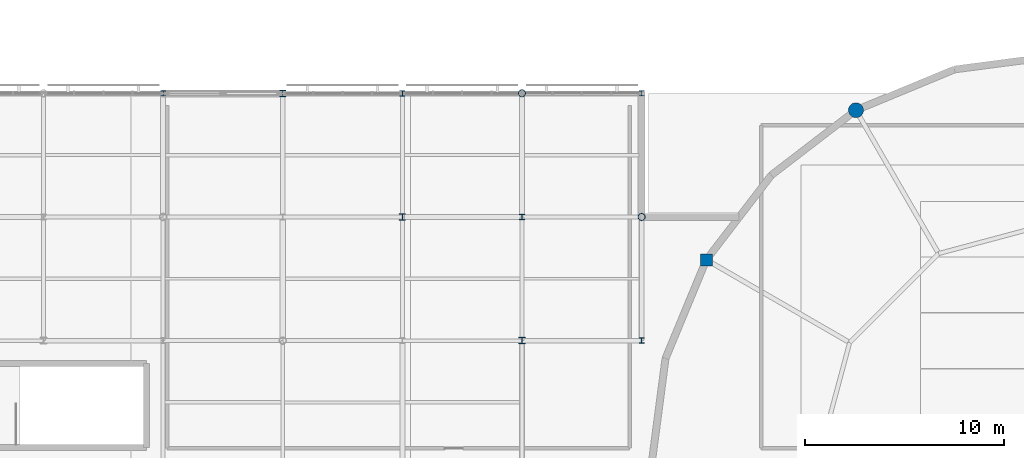
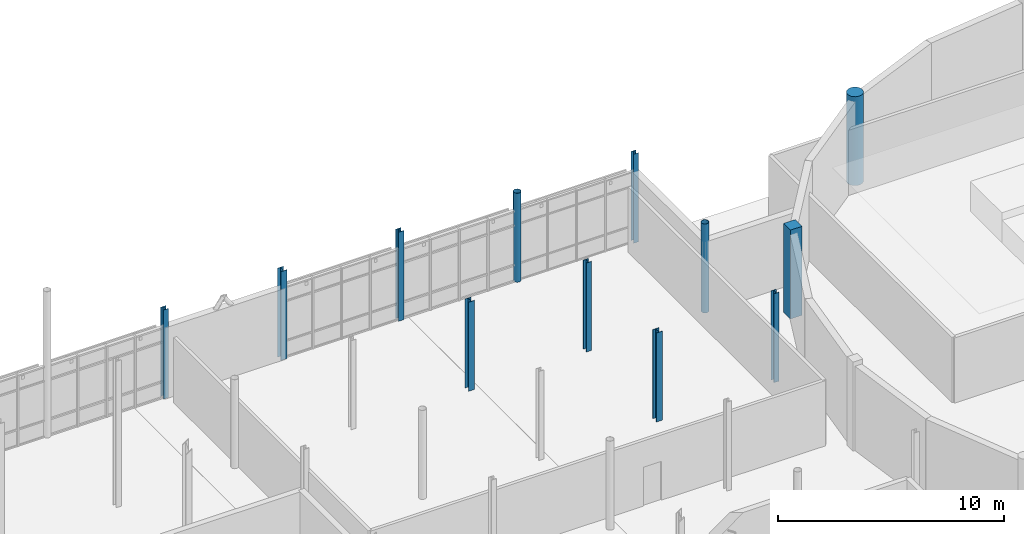
# One storey, part 7 of 84: 12 columns.
"""IFC4 building model written with IfcOpenShell, lengths in metres."""

from ifc_helpers import new_model, si_unit, direction, frame, origin, origin_2d, place, context, subcontext, project, spatial, rectangle, circle, hollow_circle, i_section, extrude, material, material_profile, profile_set, type_object, element, save


model = new_model("IFC4")

# Units and contexts
model_context = context("Model", 3, precision=1e-05, world=origin(), true_north=direction((0.0, 1.0)))
body_context = subcontext(model_context, "Body", "Model", "MODEL_VIEW")
ifc_project = project(units=[si_unit("LENGTHUNIT", "METRE"), si_unit("AREAUNIT", "SQUARE_METRE"), si_unit("VOLUMEUNIT", "CUBIC_METRE"), si_unit("PLANEANGLEUNIT", "RADIAN"), si_unit("MASSUNIT", "GRAM", prefix="KILO")], contexts=[model_context])

# Site, building, storey
site_placement = place(None, origin())
site = spatial("IfcSite", under=ifc_project, at=site_placement, CompositionType="ELEMENT")
building_placement = place(site_placement, origin())
building = spatial("IfcBuilding", under=site, at=building_placement, Name="Mirzam Square Science Centre", CompositionType="ELEMENT")
storey_placement = place(building_placement, frame((0.0, 0.0, 10.800048828125)))
storey = spatial("IfcBuildingStorey", under=building, at=storey_placement, Name="L02", CompositionType="ELEMENT", Elevation=10.800048828125)

# Columns
ifc_material_1 = material(Name="Steel S355", Category="steel")
ifc_material_profile_1 = material_profile(ifc_material_1, hollow_circle(Radius=0.177734375, WallThickness=0.012451171875, at=origin_2d()), Name="355.6x12.5CHS")
ifc_profile_set_1 = profile_set([ifc_material_profile_1], Name="Steel S355")
column_type_1 = type_object("IfcColumnType", Name="COL-CHS355", PredefinedType="COLUMN", material=ifc_profile_set_1)
for number, where, z_axis, x_axis, name in (
    (1, (54.0, 80.60009765625, 0.0), (0.0, 0.0, 1.0), (1.0, 0.0, 0.0), "L02 column G10-14"),
    (2, (60.0, 74.39990234375, 0.0), (0.0, 0.0, 1.0), (1.0, 0.0, 0.0), "L02 column G11-13"),
):
    element("IfcColumn", number, at=place(storey_placement, frame(where, z_axis=z_axis, x_axis=x_axis)), inside=storey, type_object=column_type_1, Name=name, PredefinedType="COLUMN", context=body_context, shape_type="SweptSolid", body=[
        extrude(hollow_circle(Radius=0.177734375, WallThickness=0.012451171875, at=origin_2d()), origin(), (0.0, 0.0, 1.0), 4.800048828125),
    ])
ifc_material_profile_2 = material_profile(ifc_material_1, i_section(OverallWidth=0.25634765625, OverallDepth=0.26025390625, WebThickness=0.01025390625, FlangeThickness=0.017333984375, FilletRadius=0.0126953125, at=origin_2d()), Name="254x254x89UC")
ifc_profile_set_2 = profile_set([ifc_material_profile_2], Name="Steel S355")
column_type_2 = type_object("IfcColumnType", Name="COL-UC254A", PredefinedType="COLUMN", material=ifc_profile_set_2)
for number, where, z_axis, x_axis, name in (
    (3, (36.0, 80.60009765625, 0.0), (0.0, 0.0, 1.0), (1.0, 0.0, 0.0), "L02 column G07-14"),
    (4, (60.0, 80.60009765625, 0.0), (0.0, 0.0, 1.0), (1.0, 0.0, 0.0), "L02 column G11-14"),
):
    element("IfcColumn", number, at=place(storey_placement, frame(where, z_axis=z_axis, x_axis=x_axis)), inside=storey, type_object=column_type_2, Name=name, PredefinedType="COLUMN", context=body_context, shape_type="SweptSolid", body=[
        extrude(i_section(OverallWidth=0.25634765625, OverallDepth=0.26025390625, WebThickness=0.01025390625, FlangeThickness=0.017333984375, FilletRadius=0.0126953125, at=origin_2d()), origin(), (0.0, 0.0, 1.0), 4.800048828125),
    ])
ifc_material_profile_3 = material_profile(ifc_material_1, i_section(OverallWidth=0.26123046875, OverallDepth=0.2763671875, WebThickness=0.015380859375, FlangeThickness=0.025390625, FilletRadius=0.0126953125, at=origin_2d()), Name="254x254x132UC")
ifc_profile_set_3 = profile_set([ifc_material_profile_3], Name="Steel S355")
column_type_3 = type_object("IfcColumnType", Name="COL-UC254B", PredefinedType="COLUMN", material=ifc_profile_set_3)
for number, where, z_axis, x_axis, name in (
    (5, (48.0, 80.60009765625, 0.0), (0.0, 0.0, 1.0), (1.0, 0.0, 0.0), "L02 column G09-14"),
    (6, (54.0, 74.39990234375, 0.0), (0.0, 0.0, 1.0), (1.0, 0.0, 0.0), "L02 column G10-13"),
    (7, (60.0, 68.199951171875, 0.0), (0.0, 0.0, 1.0), (1.0, 0.0, 0.0), "L02 column G11-12"),
):
    element("IfcColumn", number, at=place(storey_placement, frame(where, z_axis=z_axis, x_axis=x_axis)), inside=storey, type_object=column_type_3, Name=name, PredefinedType="COLUMN", context=body_context, shape_type="SweptSolid", body=[
        extrude(i_section(OverallWidth=0.26123046875, OverallDepth=0.2763671875, WebThickness=0.015380859375, FlangeThickness=0.025390625, FilletRadius=0.0126953125, at=origin_2d()), origin(), (0.0, 0.0, 1.0), 4.800048828125),
    ])
ifc_material_profile_4 = material_profile(ifc_material_1, i_section(OverallWidth=0.30908203125, OverallDepth=0.320556640625, WebThickness=0.013916015625, FlangeThickness=0.021728515625, FilletRadius=0.01513671875, at=origin_2d()), Name="305x305x137UC")
ifc_profile_set_4 = profile_set([ifc_material_profile_4], Name="Steel S355")
column_type_4 = type_object("IfcColumnType", Name="COL-UC305A", PredefinedType="COLUMN", material=ifc_profile_set_4)
for number, where, z_axis, x_axis, name in (
    (8, (42.0, 80.60009765625, 0.0), (0.0, 0.0, 1.0), (1.0, 0.0, 0.0), "L02 column G08-14"),
    (9, (48.0, 74.39990234375, 0.0), (0.0, 0.0, 1.0), (1.0, 0.0, 0.0), "L02 column G09-13"),
    (10, (54.0, 68.199951171875, 0.0), (0.0, 0.0, 1.0), (1.0, 0.0, 0.0), "L02 column G10-12"),
):
    element("IfcColumn", number, at=place(storey_placement, frame(where, z_axis=z_axis, x_axis=x_axis)), inside=storey, type_object=column_type_4, Name=name, PredefinedType="COLUMN", context=body_context, shape_type="SweptSolid", body=[
        extrude(i_section(OverallWidth=0.30908203125, OverallDepth=0.320556640625, WebThickness=0.013916015625, FlangeThickness=0.021728515625, FilletRadius=0.01513671875, at=origin_2d()), origin(), (0.0, 0.0, 1.0), 4.800048828125),
    ])
ifc_material_2 = material(Name="Concrete C45/55", Category="concrete")
ifc_material_profile_5 = material_profile(ifc_material_2, rectangle(XDim=0.60009765625, YDim=0.60009765625, at=origin_2d()), Name="RC600x600")
ifc_profile_set_5 = profile_set([ifc_material_profile_5], Name="Concrete C45/55")
column_type_5 = type_object("IfcColumnType", Name="PIL-RC600", PredefinedType="PILASTER", material=ifc_profile_set_5)
column_1_placement = place(storey_placement, frame((63.24658203125, 72.25, 0.0), z_axis=(0.0, 0.0, 1.0), x_axis=(1.0, 0.0, 0.0)))
element("IfcColumn", 11, at=column_1_placement, inside=storey, type_object=column_type_5, Name="L02 drum pilaster 11", PredefinedType="PILASTER", context=body_context, shape_type="SweptSolid", body=[
    extrude(rectangle(XDim=0.60009765625, YDim=0.60009765625, at=origin_2d()), origin(), (0.0, 0.0, 1.0), 4.800048828125),
])
ifc_material_profile_6 = material_profile(ifc_material_2, circle(Radius=0.375, at=origin_2d()), Name="RCD750")
ifc_profile_set_6 = profile_set([ifc_material_profile_6], Name="Concrete C45/55")
column_type_6 = type_object("IfcColumnType", Name="PIL-RCD750", PredefinedType="PILASTER", material=ifc_profile_set_6)
column_2_placement = place(storey_placement, frame((70.75, 79.75341796875, 0.0), z_axis=(0.0, 0.0, 1.0), x_axis=(1.0, 0.0, 0.0)))
element("IfcColumn", 12, at=column_2_placement, inside=storey, type_object=column_type_6, Name="L02 drum pilaster 09", PredefinedType="PILASTER", context=body_context, shape_type="SweptSolid", body=[
    extrude(circle(Radius=0.375, at=origin_2d()), origin(), (0.0, 0.0, 1.0), 4.800048828125),
])

save(model, "model.ifc")
